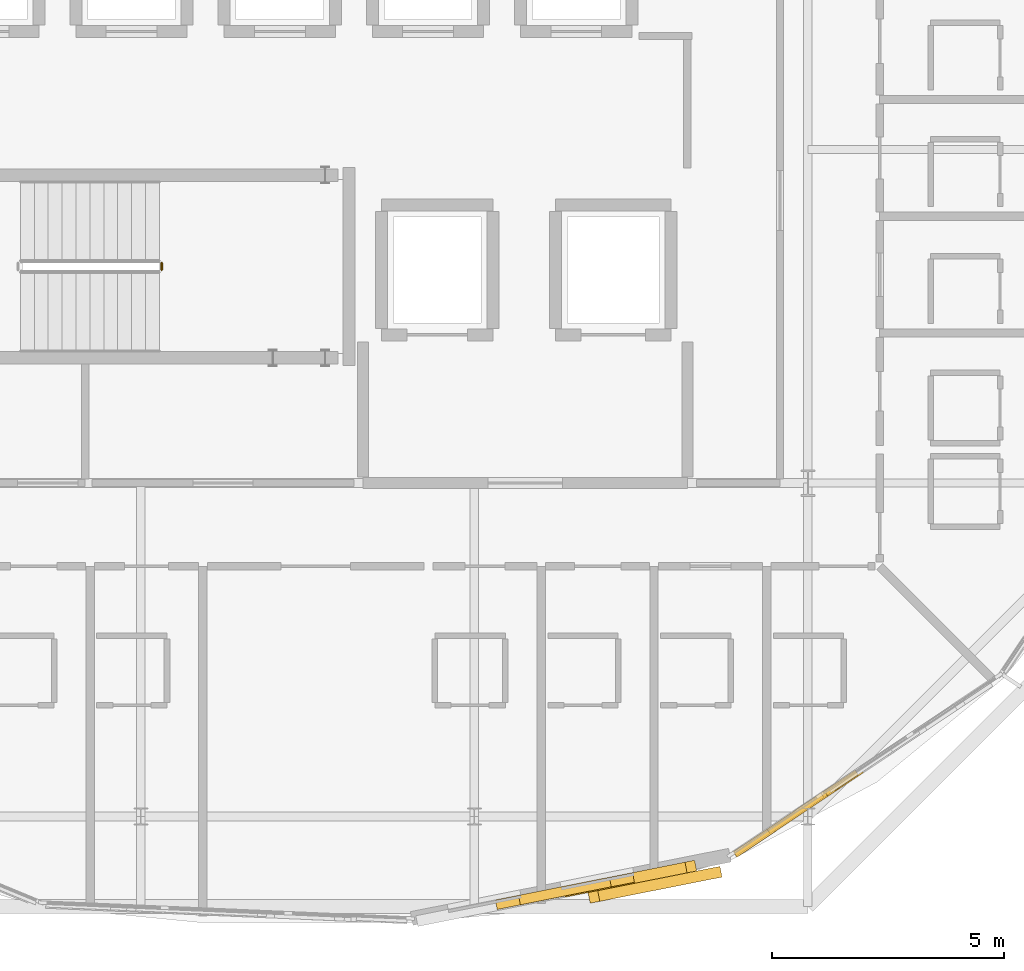
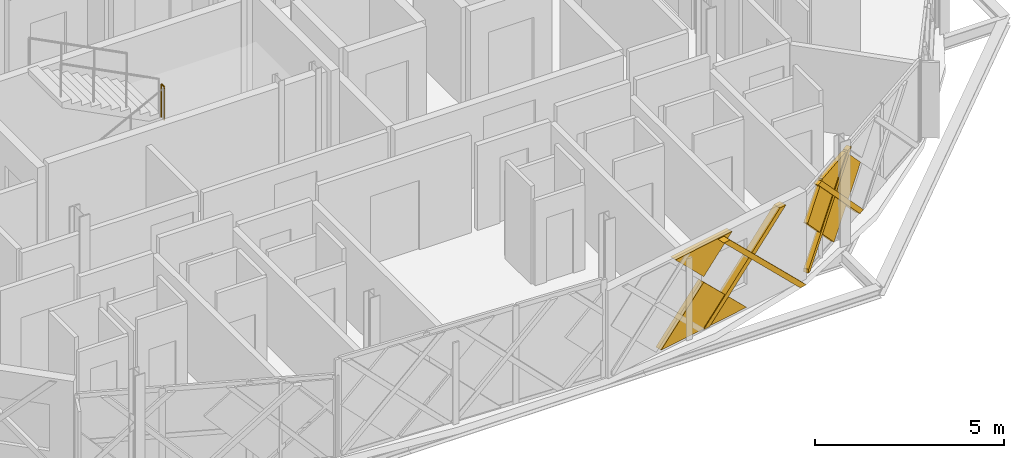
# One storey, part 21 of 24: 7 coverings, 1 railing.
"""IFC4 building model written with IfcOpenShell, lengths in metres."""

from ifc_helpers import new_model, si_unit, direction, frame, origin, origin_2d, place, context, subcontext, project, spatial, polyline, circle, outline, extrude, material, layer, layer_set, type_object, element, save


model = new_model("IFC4")

# Units and contexts
model_context = context("Model", 3, precision=1e-05, world=origin(), true_north=direction((0.0, 1.0)))
body_context = subcontext(model_context, "Body", "Model", "MODEL_VIEW")
ifc_project = project(units=[si_unit("LENGTHUNIT", "METRE"), si_unit("AREAUNIT", "SQUARE_METRE"), si_unit("VOLUMEUNIT", "CUBIC_METRE"), si_unit("PLANEANGLEUNIT", "RADIAN"), si_unit("MASSUNIT", "GRAM", prefix="KILO")], contexts=[model_context])

# Site, building, storey
site_placement = place(None, origin())
site = spatial("IfcSite", under=ifc_project, at=site_placement, CompositionType="ELEMENT")
building_placement = place(site_placement, origin())
building = spatial("IfcBuilding", under=site, at=building_placement, Name="Zevrakil Square Congress Hotel", CompositionType="ELEMENT")
storey_placement = place(building_placement, frame((0.0, 0.0, 35.10009765625)))
storey = spatial("IfcBuildingStorey", under=building, at=storey_placement, Name="L10", CompositionType="ELEMENT", Elevation=35.10009765625)

# Coverings
ifc_material_1 = material(Name="Architectural White Fibre-C GRC", Category="concrete")
ifc_layer_1 = layer(ifc_material_1, 0.06494140625)
ifc_layer_set_1 = layer_set([ifc_layer_1], Name="Architectural White Fibre-C GRC")
covering_type_1 = type_object("IfcCoveringType", Name="COV-DIA-WHITE", PredefinedType="CLADDING", material=ifc_layer_set_1)
covering_1_placement = place(storey_placement, frame((150.775390625, 7.8876953125, 1.58984375), z_axis=(0.195074358725, -0.980788280172, 0.000586553491), x_axis=(0.693609627274, 0.137532945708, -0.707099974401)))
element("IfcCovering", 1, at=covering_1_placement, inside=storey, type_object=covering_type_1, Name="L10 45-degree white GRC diamond facade cassette 3080", PredefinedType="CLADDING", context=body_context, shape_type="SweptSolid", body=[
    extrude(outline(polyline([(0.0, 0.0), (2.135496846686384, 0.0), (6.252147105900718e-05, -2.1353939480228528), (0.0, 0.0)])), origin(), (0.0, 0.0, -1.0), 0.2099609375),
])
covering_2_placement = place(storey_placement, frame((150.775390625, 7.8876953125, 1.77001953125), z_axis=(0.195059636866, -0.980791102763, 0.000742163849), x_axis=(-0.693633885662, -0.137414776751, 0.70709915273)))
element("IfcCovering", 2, at=covering_2_placement, inside=storey, type_object=covering_type_1, Name="L10 45-degree white GRC diamond facade cassette 3082", PredefinedType="CLADDING", context=body_context, shape_type="SweptSolid", body=[
    extrude(outline(polyline([(0.0, 0.0), (1.4142288194499564, -1.1102230246251565e-16), (-6.246095564044207e-05, -1.4142615443668058), (0.0, 0.0)])), origin(), (0.0, 0.0, -1.0), 0.2099609375),
])
covering_3_placement = place(storey_placement, frame((157.089111328125, 10.50341796875, 1.679931640625), z_axis=(0.555618310862, -0.831437292318, 0.000567078828), x_axis=(-0.587693126159, -0.393215519322, -0.707105610803)))
element("IfcCovering", 3, at=covering_3_placement, inside=storey, type_object=covering_type_1, Name="L10 45-degree white GRC diamond facade cassette 3088", PredefinedType="CLADDING", context=body_context, shape_type="SweptSolid", body=[
    extrude(outline(polyline([(0.0, 0.0), (2.2487276235464235, 2.220446049250313e-16), (2.2484852010061163, -2.2343225405348868), (2.2343292781335897, -2.248478505716184), (0.9900535371903989, -2.248547046521007), (8.638140738059796e-05, -1.2585828046956622), (0.0, 0.0)])), origin(), (0.0, 0.0, -1.0), 0.1201171875),
])
ifc_material_2 = material(Name="Anodised Champagne Aluminium", Category="aluminium")
ifc_layer_2 = layer(ifc_material_2, 0.0849609375)
ifc_layer_set_2 = layer_set([ifc_layer_2], Name="Anodised Champagne Aluminium")
covering_type_2 = type_object("IfcCoveringType", Name="COV-DIAGRID-45", PredefinedType="MOLDING", material=ifc_layer_set_2)
covering_4_placement = place(storey_placement, frame((150.962890625, 7.898681640625, 0.079833984375), z_axis=(0.195009721608, -0.980801107203, 0.000629752222), x_axis=(-0.980801301637, -0.195009760541, -4.26148e-07)))
element("IfcCovering", 4, at=covering_4_placement, inside=storey, type_object=covering_type_2, Name="L10 45-degree aluminium diagrid rib 3084", PredefinedType="MOLDING", context=body_context, shape_type="SweptSolid", body=[
    extrude(outline(polyline([(0.0, 0.0), (0.21210800007007063, -3.3881317890172014e-21), (-2.47783433480296, -2.6901850243992023), (-2.690134178510994, -2.6901848435387303), (0.0, 0.0)])), origin(), (0.0, 0.0, -1.0), 0.235107421875),
])
covering_5_placement = place(storey_placement, frame((151.2548828125, 7.958251953125, 2.77001953125), z_axis=(-0.194456293072, 0.98091118251, 4.5945797e-05), x_axis=(0.980911183545, 0.194456293278, -5.143e-09)))
element("IfcCovering", 5, at=covering_5_placement, inside=storey, type_object=covering_type_2, Name="L10 45-degree aluminium diagrid rib 3086", PredefinedType="MOLDING", context=body_context, shape_type="SweptSolid", body=[
    extrude(outline(polyline([(0.0, 0.0), (0.21206041063103637, -4.235164736271502e-22), (2.902101417692845, 2.690185534788946), (2.6898015267923885, 2.69018553697144), (0.0, 0.0)])), origin(), (0.0, 0.0, -1.0), 0.235107421875),
])
covering_6_placement = place(storey_placement, frame((154.539306640625, 8.768310546875, 0.079833984375), z_axis=(0.555656050596, -0.831412088789, 0.00054041874), x_axis=(-0.831412209871, -0.555656132223, -1.083666e-06)))
element("IfcCovering", 6, at=covering_6_placement, inside=storey, type_object=covering_type_2, Name="L10 45-degree aluminium diagrid rib 3090", PredefinedType="MOLDING", context=body_context, shape_type="SweptSolid", body=[
    extrude(outline(polyline([(0.0, 0.0), (0.08585961113230055, 0.0), (0.08592679761235741, -0.1262208677736072), (-2.2780547875881143, -2.4899880729820145), (-2.4901303557986205, -2.489987894403774), (0.0, 0.0)])), origin(), (0.0, 0.0, -1.0), 0.14501953125),
])
covering_7_placement = place(storey_placement, frame((154.95263671875, 9.046142578125, 2.56982421875), z_axis=(0.55576168205, -0.831341232466, 0.000841407264), x_axis=(0.831341526621, 0.555761878969, 2.69162e-07)))
element("IfcCovering", 7, at=covering_7_placement, inside=storey, type_object=covering_type_2, Name="L10 45-degree aluminium diagrid rib 3092", PredefinedType="MOLDING", context=body_context, shape_type="SweptSolid", body=[
    extrude(outline(polyline([(0.0, 0.0), (0.21207557855529613, 0.0), (2.702130940740564, -2.489991843102073), (2.4898523979453704, -2.489991728881895), (0.0, 0.0)])), origin(), (0.0, 0.0, -1.0), 0.14501953125),
])

# Railing
ifc_material_3 = material(Name="Steel S355", Category="steel")
railing_type = type_object("IfcRailingType", Name="RLG-STAIR-GUARD-1100", PredefinedType="BALUSTRADE", material=ifc_material_3)
railing_placement = place(storey_placement, frame((142.050048828125, 21.39990234375, 1.699951171875)))
element("IfcRailing", 8, at=railing_placement, inside=storey, type_object=railing_type, Name="L10 ST01 stair guard 2", PredefinedType="BALUSTRADE", context=body_context, shape_type="SweptSolid", body=[
    extrude(circle(Radius=0.02392578125, at=origin_2d()), frame((0.0, 0.0, 1.076171875), z_axis=(0.0, 1.0, 0.0), x_axis=(-1.0, 0.0, 0.0)), (0.0, 0.0, 1.0), 0.150146484375),
    extrude(circle(Radius=0.02099609375, at=origin_2d()), origin(), (0.0, 0.0, 1.0), 1.052001953125),
    extrude(circle(Radius=0.02099609375, at=origin_2d()), frame((0.0, 0.150146484375, 0.0)), (0.0, 0.0, 1.0), 1.052001953125),
])

save(model, "model.ifc")
